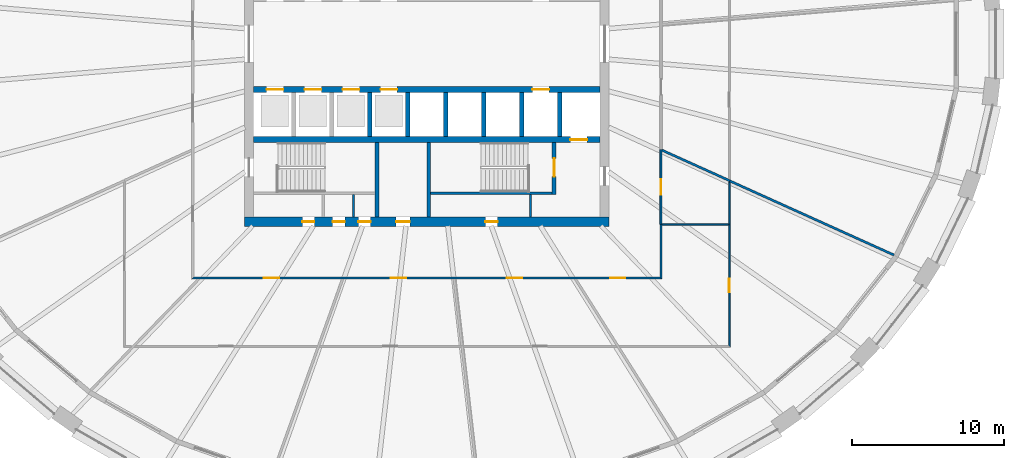
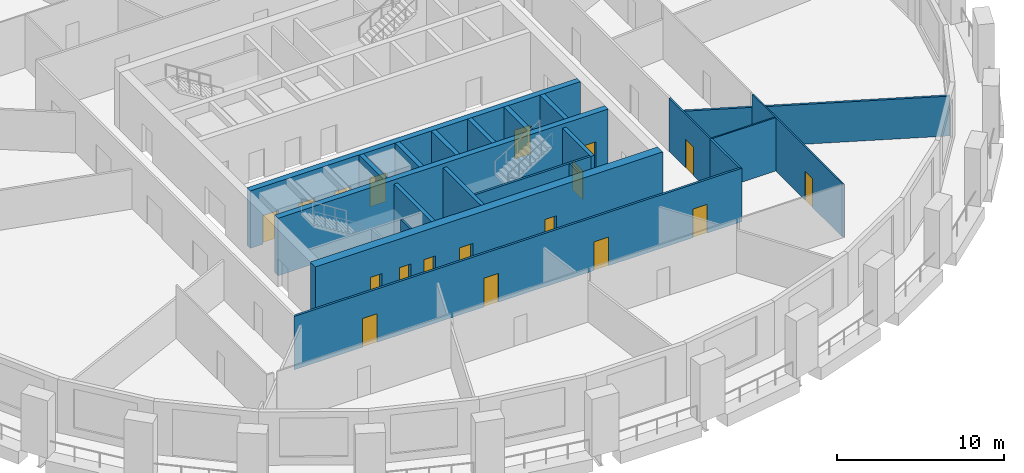
# One storey, part 4 of 11: 22 walls, 18 doors, 18 openings.
"""IFC4 building model written with IfcOpenShell, lengths in metres."""

from ifc_helpers import new_model, si_unit, direction, frame, frame_2d, origin, place, context, subcontext, project, spatial, polyline, rectangle, outline, extrude, material, layer, layer_set, type_object, element, fill, save


model = new_model("IFC4")

# Units and contexts
model_context = context("Model", 3, precision=1e-05, world=origin(), true_north=direction((0.0, 1.0)))
body_context = subcontext(model_context, "Body", "Model", "MODEL_VIEW")
ifc_project = project(units=[si_unit("LENGTHUNIT", "METRE"), si_unit("AREAUNIT", "SQUARE_METRE"), si_unit("VOLUMEUNIT", "CUBIC_METRE"), si_unit("PLANEANGLEUNIT", "RADIAN"), si_unit("MASSUNIT", "GRAM", prefix="KILO")], contexts=[model_context])

# Site, building, storey
site_placement = place(None, origin())
site = spatial("IfcSite", under=ifc_project, at=site_placement, CompositionType="ELEMENT")
building_placement = place(site_placement, origin())
building = spatial("IfcBuilding", under=site, at=building_placement, Name="Halqa Exchange Tower", CompositionType="ELEMENT")
storey_placement = place(building_placement, frame((0.0, 0.0, 44.5)))
storey = spatial("IfcBuildingStorey", under=building, at=storey_placement, Name="L09", CompositionType="ELEMENT", Elevation=44.5)

# Wall, openings, doors
ifc_material_1 = material(Name="Fire-rated gypsum board")
ifc_layer_1 = layer(ifc_material_1, 0.14990234375)
ifc_layer_set_1 = layer_set([ifc_layer_1], Name="Fire-rated gypsum board")
wall_type_1 = type_object("IfcWallType", Name="Fire partition EI 60 150", PredefinedType="PARTITIONING", material=ifc_layer_set_1)
wall_1_placement = place(storey_placement, frame((-15.47509765625, -15.39990234375, 0.0), z_axis=(0.0, 0.0, 1.0), x_axis=(1.0, 0.0, 0.0)))
wall_1 = element("IfcWall", 1, at=wall_1_placement, inside=storey, type_object=wall_type_1, Name="L09-PWL-010", PredefinedType="PARTITIONING", context=body_context, shape_type="SweptSolid", body=[
    extrude(outline(polyline([(0.000244140625, -0.074951171875), (1.9345703125, -0.074951171875), (3.868896484375, -0.074951171875), (5.80322265625, -0.074951171875), (7.73779296875, -0.074951171875), (9.672119140625, -0.074951171875), (11.6064453125, -0.074951171875), (13.540771484375, -0.074951171875), (15.47509765625, -0.074951171875), (17.409423828125, -0.074951171875), (19.34375, -0.074951171875), (21.278076171875, -0.074951171875), (23.21240234375, -0.074951171875), (25.14697265625, -0.074951171875), (27.081298828125, -0.074951171875), (29.015625, -0.074951171875), (30.949951171875, -0.074951171875), (30.800048828125, 0.074951171875), (28.884521484375, 0.074951171875), (26.96875, 0.074951171875), (25.05322265625, 0.074951171875), (23.1376953125, 0.074951171875), (21.221923828125, 0.074951171875), (19.306396484375, 0.074951171875), (17.390625, 0.074951171875), (15.47509765625, 0.074951171875), (13.5595703125, 0.074951171875), (11.643798828125, 0.074951171875), (9.728271484375, 0.074951171875), (7.8125, 0.074951171875), (5.89697265625, 0.074951171875), (3.9814453125, 0.074951171875), (2.065673828125, 0.074951171875), (0.150146484375, 0.074951171875), (0.000244140625, -0.074951171875)])), origin(), (0.0, 0.0, 1.0), 3.89990234375),
])
opening_1_placement = place(wall_1_placement, frame((4.7451171875, 0.0, 0.0)))
opening_1 = element("IfcOpeningElement", 2, at=opening_1_placement, cuts=wall_1, Name="Opening 02-07", PredefinedType="OPENING", context=body_context, shape_type="SweptSolid", body=[
    extrude(rectangle(XDim=1.0, YDim=2.10009765625, at=frame_2d((0.5, 1.050048828125))), frame((0.0, 0.0869140625, 0.0), z_axis=(0.0, -1.0, 0.0), x_axis=(1.0, 0.0, 0.0)), (0.0, 0.0, 1.0), 0.173828125),
])
opening_2_placement = place(wall_1_placement, frame((13.110107421875, 0.0, 0.0)))
opening_2 = element("IfcOpeningElement", 3, at=opening_2_placement, cuts=wall_1, Name="Opening 02-08", PredefinedType="OPENING", context=body_context, shape_type="SweptSolid", body=[
    extrude(rectangle(XDim=1.0, YDim=2.10009765625, at=frame_2d((0.5, 1.050048828125))), frame((0.0, 0.0869140625, 0.0), z_axis=(0.0, -1.0, 0.0), x_axis=(1.0, 0.0, 0.0)), (0.0, 0.0, 1.0), 0.173828125),
])
opening_3_placement = place(wall_1_placement, frame((20.735107421875, 0.0, 0.0)))
opening_3 = element("IfcOpeningElement", 4, at=opening_3_placement, cuts=wall_1, Name="Opening 02-09", PredefinedType="OPENING", context=body_context, shape_type="SweptSolid", body=[
    extrude(rectangle(XDim=1.0, YDim=2.10009765625, at=frame_2d((0.5, 1.050048828125))), frame((0.0, 0.0869140625, 0.0), z_axis=(0.0, -1.0, 0.0), x_axis=(1.0, 0.0, 0.0)), (0.0, 0.0, 1.0), 0.173828125),
])
opening_4_placement = place(wall_1_placement, frame((27.5400390625, 0.0, 0.0)))
opening_4 = element("IfcOpeningElement", 5, at=opening_4_placement, cuts=wall_1, Name="Opening 02-11", PredefinedType="OPENING", context=body_context, shape_type="SweptSolid", body=[
    extrude(rectangle(XDim=1.0, YDim=2.10009765625, at=frame_2d((0.5, 1.050048828125))), frame((0.0, 0.0869140625, 0.0), z_axis=(0.0, -1.0, 0.0), x_axis=(1.0, 0.0, 0.0)), (0.0, 0.0, 1.0), 0.173828125),
])
ifc_material_2 = material(Name="Steel fire door leaf", Category="steel")
door_type_1 = type_object("IfcDoorType", Name="Fire door FD30S 1000 x 2100", OperationType="SINGLE_SWING_LEFT", PredefinedType="DOOR", material=ifc_material_2)
door_1_placement = place(opening_1_placement, frame((1.0, 0.0, 0.0), z_axis=(0.0, 0.0, 1.0), x_axis=(-1.0, 0.0, 0.0)))
door_1 = element("IfcDoor", 6, at=door_1_placement, inside=storey, type_object=door_type_1, Name="L09-IDR-007", OperationType="SINGLE_SWING_LEFT", OverallHeight=2.10009765625, OverallWidth=1.0, PredefinedType="DOOR", context=body_context, shape_type="SweptSolid", body=[
    extrude(rectangle(XDim=1.0, YDim=2.10009765625, at=frame_2d((0.5, 1.050048828125))), frame((0.0, 0.02490234375, 0.0), z_axis=(0.0, -1.0, 0.0), x_axis=(1.0, 0.0, 0.0)), (0.0, 0.0, 1.0), 0.050048828125),
])
fill(opening_1, door_1)
door_2_placement = place(opening_2_placement, frame((1.0, 0.0, 0.0), z_axis=(0.0, 0.0, 1.0), x_axis=(-1.0, 0.0, 0.0)))
door_2 = element("IfcDoor", 7, at=door_2_placement, inside=storey, type_object=door_type_1, Name="L09-IDR-008", OperationType="SINGLE_SWING_RIGHT", OverallHeight=2.10009765625, OverallWidth=1.0, PredefinedType="DOOR", context=body_context, shape_type="SweptSolid", body=[
    extrude(rectangle(XDim=1.0, YDim=2.10009765625, at=frame_2d((0.5, 1.050048828125))), frame((0.0, 0.02490234375, 0.0), z_axis=(0.0, -1.0, 0.0), x_axis=(1.0, 0.0, 0.0)), (0.0, 0.0, 1.0), 0.050048828125),
])
fill(opening_2, door_2)
door_3_placement = place(opening_3_placement, frame((1.0, 0.0, 0.0), z_axis=(0.0, 0.0, 1.0), x_axis=(-1.0, 0.0, 0.0)))
door_3 = element("IfcDoor", 8, at=door_3_placement, inside=storey, type_object=door_type_1, Name="L09-IDR-009", OperationType="SINGLE_SWING_RIGHT", OverallHeight=2.10009765625, OverallWidth=1.0, PredefinedType="DOOR", context=body_context, shape_type="SweptSolid", body=[
    extrude(rectangle(XDim=1.0, YDim=2.10009765625, at=frame_2d((0.5, 1.050048828125))), frame((0.0, 0.02490234375, 0.0), z_axis=(0.0, -1.0, 0.0), x_axis=(1.0, 0.0, 0.0)), (0.0, 0.0, 1.0), 0.050048828125),
])
fill(opening_3, door_3)
door_4_placement = place(opening_4_placement, frame((1.0, 0.0, 0.0), z_axis=(0.0, 0.0, 1.0), x_axis=(-1.0, 0.0, 0.0)))
door_4 = element("IfcDoor", 9, at=door_4_placement, inside=storey, type_object=door_type_1, Name="L09-IDR-011", OperationType="SINGLE_SWING_LEFT", OverallHeight=2.10009765625, OverallWidth=1.0, PredefinedType="DOOR", context=body_context, shape_type="SweptSolid", body=[
    extrude(rectangle(XDim=1.0, YDim=2.10009765625, at=frame_2d((0.5, 1.050048828125))), frame((0.0, 0.02490234375, 0.0), z_axis=(0.0, -1.0, 0.0), x_axis=(1.0, 0.0, 0.0)), (0.0, 0.0, 1.0), 0.050048828125),
])
fill(opening_4, door_4)

# Walls
wall_2_placement = place(storey_placement, frame((15.39990234375, -11.8701171875, 0.0), z_axis=(0.0, 0.0, 1.0), x_axis=(0.0, -1.0, 0.0)))
element("IfcWall", 10, at=wall_2_placement, inside=storey, type_object=wall_type_1, Name="L09-PWL-025", PredefinedType="PARTITIONING", context=body_context, shape_type="SweptSolid", body=[
    extrude(outline(polyline([(0.0, -0.074951171875), (1.7275390625, -0.074951171875), (3.454833984375, -0.074951171875), (3.604736328125, 0.074951171875), (1.80224609375, 0.074951171875), (0.0, 0.074951171875), (0.0, -0.074951171875)])), origin(), (0.0, 0.0, 1.0), 3.89990234375),
])
wall_3_placement = place(storey_placement, frame((15.444091796875, -6.97998046875, 0.0), z_axis=(0.0, 0.0, 1.0), x_axis=(0.911554382715, -0.411179531778, 0.0)))
element("IfcWall", 11, at=wall_3_placement, inside=storey, type_object=wall_type_1, Name="L09-PWL-028", PredefinedType="PARTITIONING", context=body_context, shape_type="SweptSolid", body=[
    extrude(outline(polyline([(0.05126953125, -0.074951171875), (1.67822265625, -0.074951171875), (3.305419921875, -0.074951171875), (4.932373046875, -0.074951171875), (4.932373046875, -0.053955078125), (4.932373046875, 0.074951171875), (4.805419921875, 0.074951171875), (4.800537109375, 0.07275390625), (4.799560546875, 0.074951171875), (3.19970703125, 0.074951171875), (1.599853515625, 0.074951171875), (0.0, 0.074951171875), (0.02001953125, 0.031005859375), (0.00634765625, 0.024658203125), (0.05126953125, -0.074951171875)])), origin(), (0.0, 0.0, 1.0), 2.909912109375),
])
wall_4_placement = place(storey_placement, frame((19.9365234375, -9.0166015625, 0.0), z_axis=(0.0, 0.0, 1.0), x_axis=(0.911435859514, -0.411442187909, 0.0)))
element("IfcWall", 12, at=wall_4_placement, inside=storey, type_object=wall_type_1, Name="L09-PWL-034", PredefinedType="PARTITIONING", context=body_context, shape_type="SweptSolid", body=[
    extrude(outline(polyline([(0.0, -0.074951171875), (0.045166015625, -0.074951171875), (0.048095703125, -0.07373046875), (0.048583984375, -0.074951171875), (2.013427734375, -0.074951171875), (3.978271484375, -0.074951171875), (5.943115234375, -0.074951171875), (7.907958984375, -0.074951171875), (9.872802734375, -0.074951171875), (11.837646484375, -0.074951171875), (11.85595703125, -0.00146484375), (11.858154296875, 0.0693359375), (11.858154296875, 0.074951171875), (9.8818359375, 0.074951171875), (7.905517578125, 0.074951171875), (5.92919921875, 0.074951171875), (3.95263671875, 0.074951171875), (1.976318359375, 0.074951171875), (0.0, 0.074951171875), (0.0, -0.074951171875)])), origin(), (0.0, 0.0, 1.0), 2.909912109375),
])

# Wall, opening, door
ifc_material_3 = material(Name="Fire-rated glazing", Category="glass")
ifc_layer_2 = layer(ifc_material_3, 0.1201171875)
ifc_layer_set_2 = layer_set([ifc_layer_2], Name="Fire-rated glazing")
wall_type_2 = type_object("IfcWallType", Name="Glazed fire partition EI 60 120", PredefinedType="PARTITIONING", material=ifc_layer_set_2)
wall_5_placement = place(storey_placement, frame((15.39990234375, -6.9599609375, 0.0), z_axis=(0.0, 0.0, 1.0), x_axis=(0.0, -1.0, 0.0)))
wall_5 = element("IfcWall", 13, at=wall_5_placement, inside=storey, type_object=wall_type_2, Name="L09-PWL-026", PredefinedType="PARTITIONING", context=body_context, shape_type="SweptSolid", body=[
    extrude(rectangle(XDim=4.91015625, YDim=0.1201171875, at=frame_2d((2.455078125, 0.0))), origin(), (0.0, 0.0, 1.0), 3.89990234375),
])
opening_5_placement = place(wall_5_placement, frame((1.955078125, 0.0, 0.0)))
opening_5 = element("IfcOpeningElement", 14, at=opening_5_placement, cuts=wall_5, Name="Opening 02-10", PredefinedType="OPENING", context=body_context, shape_type="SweptSolid", body=[
    extrude(rectangle(XDim=1.0, YDim=2.10009765625, at=frame_2d((0.5, 1.050048828125))), frame((0.0, 0.072021484375, 0.0), z_axis=(0.0, -1.0, 0.0), x_axis=(1.0, 0.0, 0.0)), (0.0, 0.0, 1.0), 0.14404296875),
])
door_5_placement = place(opening_5_placement, origin())
door_5 = element("IfcDoor", 15, at=door_5_placement, inside=storey, type_object=door_type_1, Name="L09-IDR-010", OperationType="SINGLE_SWING_RIGHT", OverallHeight=2.10009765625, OverallWidth=1.0, PredefinedType="DOOR", context=body_context, shape_type="SweptSolid", body=[
    extrude(rectangle(XDim=1.0, YDim=2.10009765625, at=frame_2d((0.5, 1.050048828125))), frame((0.0, 0.02490234375, 0.0), z_axis=(0.0, -1.0, 0.0), x_axis=(1.0, 0.0, 0.0)), (0.0, 0.0, 1.0), 0.050048828125),
])
fill(opening_5, door_5)

ifc_material_4 = material(Name="Gypsum board")
ifc_layer_3 = layer(ifc_material_4, 0.10009765625)
ifc_layer_set_3 = layer_set([ifc_layer_3], Name="Gypsum board")
wall_type_3 = type_object("IfcWallType", Name="Partition 100 gypsum", PredefinedType="PARTITIONING", material=ifc_layer_set_3)
wall_6_placement = place(storey_placement, frame((19.89990234375, -19.949951171875, 0.0), z_axis=(0.0, 0.0, 1.0), x_axis=(0.0, 1.0, 0.0)))
wall_6 = element("IfcWall", 16, at=wall_6_placement, inside=storey, type_object=wall_type_3, Name="L09-PWL-032", PredefinedType="PARTITIONING", context=body_context, shape_type="SweptSolid", body=[
    extrude(outline(polyline([(10.846435546875, 0.050048828125), (9.055419921875, 0.050048828125), (7.264404296875, 0.050048828125), (5.47314453125, 0.050048828125), (3.68212890625, 0.050048828125), (1.89111328125, 0.050048828125), (0.10009765625, 0.050048828125), (0.0, -0.050048828125), (1.8076171875, -0.050048828125), (3.615478515625, -0.050048828125), (5.42333984375, -0.050048828125), (7.23095703125, -0.050048828125), (9.03857421875, -0.050048828125), (10.846435546875, -0.050048828125), (10.846435546875, 0.050048828125)])), origin(), (0.0, 0.0, 1.0), 3.89990234375),
])
opening_6_placement = place(wall_6_placement, frame((3.614990234375, 0.0, 0.0)))
opening_6 = element("IfcOpeningElement", 17, at=opening_6_placement, cuts=wall_6, Name="Opening 02-22", PredefinedType="OPENING", context=body_context, shape_type="SweptSolid", body=[
    extrude(rectangle(XDim=0.89990234375, YDim=2.10009765625, at=frame_2d((0.449951171875, 1.050048828125))), frame((0.0, 0.06201171875, 0.0), z_axis=(0.0, -1.0, 0.0), x_axis=(1.0, 0.0, 0.0)), (0.0, 0.0, 1.0), 0.1240234375),
])
ifc_material_5 = material(Name="Timber door leaf", Category="wood")
door_type_2 = type_object("IfcDoorType", Name="Door 900 x 2100", OperationType="SINGLE_SWING_LEFT", PredefinedType="DOOR", material=ifc_material_5)
door_6_placement = place(opening_6_placement, origin())
door_6 = element("IfcDoor", 18, at=door_6_placement, inside=storey, type_object=door_type_2, Name="L09-IDR-022", OperationType="SINGLE_SWING_LEFT", OverallHeight=2.10009765625, OverallWidth=0.89990234375, PredefinedType="DOOR", context=body_context, shape_type="SweptSolid", body=[
    extrude(rectangle(XDim=0.89990234375, YDim=2.10009765625, at=frame_2d((0.449951171875, 1.050048828125))), frame((0.0, 0.02490234375, 0.0), z_axis=(0.0, -1.0, 0.0), x_axis=(1.0, 0.0, 0.0)), (0.0, 0.0, 1.0), 0.050048828125),
])
fill(opening_6, door_6)

# Walls
wall_7_placement = place(storey_placement, frame((19.85009765625, -11.8701171875, 0.0), z_axis=(0.0, 0.0, 1.0), x_axis=(-1.0, 0.0, 0.0)))
element("IfcWall", 19, at=wall_7_placement, inside=storey, type_object=wall_type_3, Name="L09-PWL-033", PredefinedType="PARTITIONING", context=body_context, shape_type="SweptSolid", body=[
    extrude(outline(polyline([(4.3896484375, -0.050048828125), (4.3896484375, 0.0), (4.375, 0.0), (4.375, 0.050048828125), (2.916748046875, 0.050048828125), (1.45849609375, 0.050048828125), (0.0, 0.050048828125), (0.0, -0.050048828125), (1.46337890625, -0.050048828125), (2.926513671875, -0.050048828125), (4.3896484375, -0.050048828125)])), origin(), (0.0, 0.0, 1.0), 3.89990234375),
])
ifc_layer_4 = layer(ifc_material_4, 0.14990234375)
ifc_layer_set_4 = layer_set([ifc_layer_4], Name="Gypsum board")
wall_type_4 = type_object("IfcWallType", Name="Penthouse riser wall 150 gypsum", PredefinedType="PARTITIONING", material=ifc_layer_set_4)
for number, where, z_axis, x_axis, name in (
    (20, (-4.824951171875, -11.39990234375, 0.0), (0.0, 0.0, 1.0), (0.0, 1.0, 0.0), "Partition W4.825 S"),
    (21, (6.824951171875, -11.39990234375, 0.0), (0.0, 0.0, 1.0), (0.0, 1.0, 0.0), "Firefighting lobby west wall S"),
):
    element("IfcWall", number, at=place(storey_placement, frame(where, z_axis=z_axis, x_axis=x_axis)), inside=storey, type_object=wall_type_4, Name=name, PredefinedType="PARTITIONING", context=body_context, shape_type="SweptSolid", body=[
        extrude(rectangle(XDim=1.5, YDim=0.14990234375, at=frame_2d((0.75, 0.0))), origin(), (0.0, 0.0, 1.0), 3.89990234375),
    ])
ifc_material_6 = material(Name="Concrete C60/75", Category="concrete")
ifc_layer_5 = layer(ifc_material_6, 0.300048828125)
ifc_layer_set_5 = layer_set([ifc_layer_5], Name="Concrete C60/75")
wall_type_5 = type_object("IfcWallType", Name="RC core wall 300", PredefinedType="SHEAR", material=ifc_layer_set_5)
for number, where, z_axis, x_axis, name in (
    (22, (-3.75, -6.10009765625, 0.0), (0.0, 0.0, 1.0), (0.0, 1.0, 0.0), "Shaft divider S3"),
    (23, (-1.25, -6.10009765625, 0.0), (0.0, 0.0, 1.0), (0.0, 1.0, 0.0), "Shaft divider S4"),
    (24, (1.25, -6.10009765625, 0.0), (0.0, 0.0, 1.0), (0.0, 1.0, 0.0), "Shaft divider S5"),
    (25, (3.75, -6.10009765625, 0.0), (0.0, 0.0, 1.0), (0.0, 1.0, 0.0), "Shaft divider S6"),
    (26, (6.25, -6.10009765625, 0.0), (0.0, 0.0, 1.0), (0.0, 1.0, 0.0), "Shaft divider S7"),
    (27, (8.75, -6.10009765625, 0.0), (0.0, 0.0, 1.0), (0.0, 1.0, 0.0), "Shaft divider S8"),
):
    element("IfcWall", number, at=place(storey_placement, frame(where, z_axis=z_axis, x_axis=x_axis)), inside=storey, type_object=wall_type_5, Name=name, PredefinedType="SHEAR", context=body_context, shape_type="SweptSolid", body=[
        extrude(rectangle(XDim=2.900146484375, YDim=0.300048828125, at=frame_2d((1.4501953125, 0.0))), origin(), (0.0, 0.0, 1.0), 4.199951171875),
    ])

# Wall, openings, doors
ifc_material_7 = material(Name="Concrete C80/95", Category="concrete")
ifc_layer_6 = layer(ifc_material_7, 0.39990234375)
ifc_layer_set_6 = layer_set([ifc_layer_6], Name="Concrete C80/95")
wall_type_6 = type_object("IfcWallType", Name="RC core wall 400 C80/95", PredefinedType="SHEAR", material=ifc_layer_set_6)
wall_8_placement = place(storey_placement, frame((-11.39990234375, -3.0, 0.0), z_axis=(0.0, 0.0, 1.0), x_axis=(1.0, 0.0, 0.0)))
wall_8 = element("IfcWall", 28, at=wall_8_placement, inside=storey, type_object=wall_type_6, Name="Lift row front wall S", PredefinedType="SHEAR", context=body_context, shape_type="SweptSolid", body=[
    extrude(rectangle(XDim=22.7998046875, YDim=0.39990234375, at=frame_2d((11.39990234375, 0.0))), origin(), (0.0, 0.0, 1.0), 4.199951171875),
])
opening_7_placement = place(wall_8_placement, frame((0.85009765625, 0.0, 0.0)))
opening_7 = element("IfcOpeningElement", 29, at=opening_7_placement, cuts=wall_8, Name="Opening LD-LR5-T02", PredefinedType="OPENING", context=body_context, shape_type="SweptSolid", body=[
    extrude(rectangle(XDim=1.10009765625, YDim=2.10009765625, at=frame_2d((0.550048828125, 1.050048828125))), frame((0.0, 0.2119140625, 0.0), z_axis=(0.0, -1.0, 0.0), x_axis=(1.0, 0.0, 0.0)), (0.0, 0.0, 1.0), 0.423828125),
])
opening_8_placement = place(wall_8_placement, frame((3.35009765625, 0.0, 0.0)))
opening_8 = element("IfcOpeningElement", 30, at=opening_8_placement, cuts=wall_8, Name="Opening LD-LR6-T02", PredefinedType="OPENING", context=body_context, shape_type="SweptSolid", body=[
    extrude(rectangle(XDim=1.10009765625, YDim=2.10009765625, at=frame_2d((0.550048828125, 1.050048828125))), frame((0.0, 0.2119140625, 0.0), z_axis=(0.0, -1.0, 0.0), x_axis=(1.0, 0.0, 0.0)), (0.0, 0.0, 1.0), 0.423828125),
])
opening_9_placement = place(wall_8_placement, frame((5.85009765625, 0.0, 0.0)))
opening_9 = element("IfcOpeningElement", 31, at=opening_9_placement, cuts=wall_8, Name="Opening LD-LR7-T02", PredefinedType="OPENING", context=body_context, shape_type="SweptSolid", body=[
    extrude(rectangle(XDim=1.10009765625, YDim=2.10009765625, at=frame_2d((0.550048828125, 1.050048828125))), frame((0.0, 0.2119140625, 0.0), z_axis=(0.0, -1.0, 0.0), x_axis=(1.0, 0.0, 0.0)), (0.0, 0.0, 1.0), 0.423828125),
])
opening_10_placement = place(wall_8_placement, frame((8.35009765625, 0.0, 0.0)))
opening_10 = element("IfcOpeningElement", 32, at=opening_10_placement, cuts=wall_8, Name="Opening LD-LR8-T02", PredefinedType="OPENING", context=body_context, shape_type="SweptSolid", body=[
    extrude(rectangle(XDim=1.10009765625, YDim=2.10009765625, at=frame_2d((0.550048828125, 1.050048828125))), frame((0.0, 0.2119140625, 0.0), z_axis=(0.0, -1.0, 0.0), x_axis=(1.0, 0.0, 0.0)), (0.0, 0.0, 1.0), 0.423828125),
])
opening_11_placement = place(wall_8_placement, frame((18.35009765625, 0.0, 0.0)))
opening_11 = element("IfcOpeningElement", 33, at=opening_11_placement, cuts=wall_8, Name="Opening LD-SV2-T02", PredefinedType="OPENING", context=body_context, shape_type="SweptSolid", body=[
    extrude(rectangle(XDim=1.10009765625, YDim=2.10009765625, at=frame_2d((0.550048828125, 1.050048828125))), frame((0.0, 0.2119140625, 0.0), z_axis=(0.0, -1.0, 0.0), x_axis=(1.0, 0.0, 0.0)), (0.0, 0.0, 1.0), 0.423828125),
])
ifc_material_8 = material(Name="Stainless steel", Category="steel")
door_type_3 = type_object("IfcDoorType", Name="Lift landing door 1100 x 2100", OperationType="SLIDING_TO_LEFT", PredefinedType="DOOR", material=ifc_material_8)
door_7_placement = place(opening_7_placement, origin())
door_7 = element("IfcDoor", 34, at=door_7_placement, inside=storey, type_object=door_type_3, Name="Lift landing door LR5", OperationType="SLIDING_TO_LEFT", OverallHeight=2.10009765625, OverallWidth=1.10009765625, PredefinedType="DOOR", context=body_context, shape_type="SweptSolid", body=[
    extrude(rectangle(XDim=1.10009765625, YDim=2.10009765625, at=frame_2d((0.550048828125, 1.050048828125))), frame((0.0, 0.02490234375, 0.0), z_axis=(0.0, -1.0, 0.0), x_axis=(1.0, 0.0, 0.0)), (0.0, 0.0, 1.0), 0.050048828125),
])
fill(opening_7, door_7)
door_8_placement = place(opening_8_placement, origin())
door_8 = element("IfcDoor", 35, at=door_8_placement, inside=storey, type_object=door_type_3, Name="Lift landing door LR6", OperationType="SLIDING_TO_LEFT", OverallHeight=2.10009765625, OverallWidth=1.10009765625, PredefinedType="DOOR", context=body_context, shape_type="SweptSolid", body=[
    extrude(rectangle(XDim=1.10009765625, YDim=2.10009765625, at=frame_2d((0.550048828125, 1.050048828125))), frame((0.0, 0.02490234375, 0.0), z_axis=(0.0, -1.0, 0.0), x_axis=(1.0, 0.0, 0.0)), (0.0, 0.0, 1.0), 0.050048828125),
])
fill(opening_8, door_8)
door_9_placement = place(opening_9_placement, origin())
door_9 = element("IfcDoor", 36, at=door_9_placement, inside=storey, type_object=door_type_3, Name="Lift landing door LR7", OperationType="SLIDING_TO_LEFT", OverallHeight=2.10009765625, OverallWidth=1.10009765625, PredefinedType="DOOR", context=body_context, shape_type="SweptSolid", body=[
    extrude(rectangle(XDim=1.10009765625, YDim=2.10009765625, at=frame_2d((0.550048828125, 1.050048828125))), frame((0.0, 0.02490234375, 0.0), z_axis=(0.0, -1.0, 0.0), x_axis=(1.0, 0.0, 0.0)), (0.0, 0.0, 1.0), 0.050048828125),
])
fill(opening_9, door_9)
door_10_placement = place(opening_10_placement, origin())
door_10 = element("IfcDoor", 37, at=door_10_placement, inside=storey, type_object=door_type_3, Name="Lift landing door LR8", OperationType="SLIDING_TO_LEFT", OverallHeight=2.10009765625, OverallWidth=1.10009765625, PredefinedType="DOOR", context=body_context, shape_type="SweptSolid", body=[
    extrude(rectangle(XDim=1.10009765625, YDim=2.10009765625, at=frame_2d((0.550048828125, 1.050048828125))), frame((0.0, 0.02490234375, 0.0), z_axis=(0.0, -1.0, 0.0), x_axis=(1.0, 0.0, 0.0)), (0.0, 0.0, 1.0), 0.050048828125),
])
fill(opening_10, door_10)
door_11_placement = place(opening_11_placement, origin())
door_11 = element("IfcDoor", 38, at=door_11_placement, inside=storey, type_object=door_type_3, Name="Lift landing door SV2", OperationType="SLIDING_TO_LEFT", OverallHeight=2.10009765625, OverallWidth=1.10009765625, PredefinedType="DOOR", context=body_context, shape_type="SweptSolid", body=[
    extrude(rectangle(XDim=1.10009765625, YDim=2.10009765625, at=frame_2d((0.550048828125, 1.050048828125))), frame((0.0, 0.02490234375, 0.0), z_axis=(0.0, -1.0, 0.0), x_axis=(1.0, 0.0, 0.0)), (0.0, 0.0, 1.0), 0.050048828125),
])
fill(opening_11, door_11)

# Wall, opening, door
wall_9_placement = place(storey_placement, frame((-11.39990234375, -6.300048828125, 0.0), z_axis=(0.0, 0.0, 1.0), x_axis=(1.0, 0.0, 0.0)))
wall_9 = element("IfcWall", 39, at=wall_9_placement, inside=storey, type_object=wall_type_6, Name="Lift row back wall S", PredefinedType="SHEAR", context=body_context, shape_type="SweptSolid", body=[
    extrude(rectangle(XDim=22.7998046875, YDim=0.39990234375, at=frame_2d((11.39990234375, 0.0))), origin(), (0.0, 0.0, 1.0), 4.199951171875),
])
opening_12_placement = place(wall_9_placement, frame((20.85009765625, 0.0, 0.0)))
opening_12 = element("IfcOpeningElement", 40, at=opening_12_placement, cuts=wall_9, Name="Opening LD-FF2-T02", PredefinedType="OPENING", context=body_context, shape_type="SweptSolid", body=[
    extrude(rectangle(XDim=1.10009765625, YDim=2.10009765625, at=frame_2d((0.550048828125, 1.050048828125))), frame((0.0, 0.2119140625, 0.0), z_axis=(0.0, -1.0, 0.0), x_axis=(1.0, 0.0, 0.0)), (0.0, 0.0, 1.0), 0.423828125),
])
door_12_placement = place(opening_12_placement, origin())
door_12 = element("IfcDoor", 41, at=door_12_placement, inside=storey, type_object=door_type_3, Name="Lift landing door FF2", OperationType="SLIDING_TO_LEFT", OverallHeight=2.10009765625, OverallWidth=1.10009765625, PredefinedType="DOOR", context=body_context, shape_type="SweptSolid", body=[
    extrude(rectangle(XDim=1.10009765625, YDim=2.10009765625, at=frame_2d((0.550048828125, 1.050048828125))), frame((0.0, 0.02490234375, 0.0), z_axis=(0.0, -1.0, 0.0), x_axis=(1.0, 0.0, 0.0)), (0.0, 0.0, 1.0), 0.050048828125),
])
fill(opening_12, door_12)

# Wall, openings, doors
ifc_layer_7 = layer(ifc_material_7, 0.60009765625)
ifc_layer_set_7 = layer_set([ifc_layer_7], Name="Concrete C80/95")
wall_type_7 = type_object("IfcWallType", Name="RC core wall 600 C80/95", PredefinedType="SHEAR", material=ifc_layer_set_7)
wall_10_placement = place(storey_placement, frame((-12.0, -11.699951171875, 0.0), z_axis=(0.0, 0.0, 1.0), x_axis=(1.0, 0.0, 0.0)))
wall_10 = element("IfcWall", 42, at=wall_10_placement, inside=storey, type_object=wall_type_7, Name="Core wall south", PredefinedType="SHEAR", context=body_context, shape_type="SweptSolid", body=[
    extrude(rectangle(XDim=24.0, YDim=0.60009765625, at=frame_2d((12.0, 0.0))), origin(), (0.0, 0.0, 1.0), 4.199951171875),
])
opening_13_placement = place(wall_10_placement, frame((9.97509765625, 0.0, 0.0)))
opening_13 = element("IfcOpeningElement", 43, at=opening_13_placement, cuts=wall_10, Name="Opening T02-C26", PredefinedType="OPENING", context=body_context, shape_type="SweptSolid", body=[
    extrude(rectangle(XDim=0.89990234375, YDim=2.10009765625, at=frame_2d((0.449951171875, 1.050048828125))), frame((0.0, 0.31201171875, 0.0), z_axis=(0.0, -1.0, 0.0), x_axis=(1.0, 0.0, 0.0)), (0.0, 0.0, 1.0), 0.6240234375),
])
opening_14_placement = place(wall_10_placement, frame((3.800048828125, 0.0, 0.0)))
opening_14 = element("IfcOpeningElement", 44, at=opening_14_placement, cuts=wall_10, Name="Opening T02-C27", PredefinedType="OPENING", context=body_context, shape_type="SweptSolid", body=[
    extrude(rectangle(XDim=0.800048828125, YDim=2.10009765625, at=frame_2d((0.39990234375, 1.050048828125))), frame((0.0, 0.31201171875, 0.0), z_axis=(0.0, -1.0, 0.0), x_axis=(1.0, 0.0, 0.0)), (0.0, 0.0, 1.0), 0.6240234375),
])
opening_15_placement = place(wall_10_placement, frame((5.800048828125, 0.0, 0.0)))
opening_15 = element("IfcOpeningElement", 45, at=opening_15_placement, cuts=wall_10, Name="Opening T02-C28", PredefinedType="OPENING", context=body_context, shape_type="SweptSolid", body=[
    extrude(rectangle(XDim=0.800048828125, YDim=2.10009765625, at=frame_2d((0.39990234375, 1.050048828125))), frame((0.0, 0.31201171875, 0.0), z_axis=(0.0, -1.0, 0.0), x_axis=(1.0, 0.0, 0.0)), (0.0, 0.0, 1.0), 0.6240234375),
])
opening_16_placement = place(wall_10_placement, frame((7.5, 0.0, 0.0)))
opening_16 = element("IfcOpeningElement", 46, at=opening_16_placement, cuts=wall_10, Name="Opening T02-C29", PredefinedType="OPENING", context=body_context, shape_type="SweptSolid", body=[
    extrude(rectangle(XDim=0.800048828125, YDim=2.10009765625, at=frame_2d((0.39990234375, 1.050048828125))), frame((0.0, 0.31201171875, 0.0), z_axis=(0.0, -1.0, 0.0), x_axis=(1.0, 0.0, 0.0)), (0.0, 0.0, 1.0), 0.6240234375),
])
opening_17_placement = place(wall_10_placement, frame((15.85009765625, 0.0, 0.0)))
opening_17 = element("IfcOpeningElement", 47, at=opening_17_placement, cuts=wall_10, Name="Opening T02-C30", PredefinedType="OPENING", context=body_context, shape_type="SweptSolid", body=[
    extrude(rectangle(XDim=0.800048828125, YDim=2.10009765625, at=frame_2d((0.39990234375, 1.050048828125))), frame((0.0, 0.31201171875, 0.0), z_axis=(0.0, -1.0, 0.0), x_axis=(1.0, 0.0, 0.0)), (0.0, 0.0, 1.0), 0.6240234375),
])
ifc_material_9 = material(Name="Timber fire door leaf", Category="wood")
door_type_4 = type_object("IfcDoorType", Name="Core room door FD30 900 x 2100", OperationType="SINGLE_SWING_LEFT", PredefinedType="DOOR", material=ifc_material_9)
door_13_placement = place(opening_13_placement, origin())
door_13 = element("IfcDoor", 48, at=door_13_placement, inside=storey, type_object=door_type_4, Name="Core room door", OperationType="SINGLE_SWING_LEFT", OverallHeight=2.10009765625, OverallWidth=0.89990234375, PredefinedType="DOOR", context=body_context, shape_type="SweptSolid", body=[
    extrude(rectangle(XDim=0.89990234375, YDim=2.10009765625, at=frame_2d((0.449951171875, 1.050048828125))), frame((0.0, 0.02490234375, 0.0), z_axis=(0.0, -1.0, 0.0), x_axis=(1.0, 0.0, 0.0)), (0.0, 0.0, 1.0), 0.050048828125),
])
fill(opening_13, door_13)
door_type_5 = type_object("IfcDoorType", Name="Riser door FD60 800 x 2100", OperationType="SINGLE_SWING_LEFT", PredefinedType="DOOR", material=ifc_material_2)
door_14_placement = place(opening_14_placement, origin())
door_14 = element("IfcDoor", 49, at=door_14_placement, inside=storey, type_object=door_type_5, Name="Core room door", OperationType="SINGLE_SWING_LEFT", OverallHeight=2.10009765625, OverallWidth=0.800048828125, PredefinedType="DOOR", context=body_context, shape_type="SweptSolid", body=[
    extrude(rectangle(XDim=0.800048828125, YDim=2.10009765625, at=frame_2d((0.39990234375, 1.050048828125))), frame((0.0, 0.02490234375, 0.0), z_axis=(0.0, -1.0, 0.0), x_axis=(1.0, 0.0, 0.0)), (0.0, 0.0, 1.0), 0.050048828125),
])
fill(opening_14, door_14)
door_15_placement = place(opening_15_placement, origin())
door_15 = element("IfcDoor", 50, at=door_15_placement, inside=storey, type_object=door_type_5, Name="Core room door", OperationType="SINGLE_SWING_RIGHT", OverallHeight=2.10009765625, OverallWidth=0.800048828125, PredefinedType="DOOR", context=body_context, shape_type="SweptSolid", body=[
    extrude(rectangle(XDim=0.800048828125, YDim=2.10009765625, at=frame_2d((0.39990234375, 1.050048828125))), frame((0.0, 0.02490234375, 0.0), z_axis=(0.0, -1.0, 0.0), x_axis=(1.0, 0.0, 0.0)), (0.0, 0.0, 1.0), 0.050048828125),
])
fill(opening_15, door_15)
door_16_placement = place(opening_16_placement, origin())
door_16 = element("IfcDoor", 51, at=door_16_placement, inside=storey, type_object=door_type_5, Name="Core room door", OperationType="SINGLE_SWING_RIGHT", OverallHeight=2.10009765625, OverallWidth=0.800048828125, PredefinedType="DOOR", context=body_context, shape_type="SweptSolid", body=[
    extrude(rectangle(XDim=0.800048828125, YDim=2.10009765625, at=frame_2d((0.39990234375, 1.050048828125))), frame((0.0, 0.02490234375, 0.0), z_axis=(0.0, -1.0, 0.0), x_axis=(1.0, 0.0, 0.0)), (0.0, 0.0, 1.0), 0.050048828125),
])
fill(opening_16, door_16)
door_17_placement = place(opening_17_placement, origin())
door_17 = element("IfcDoor", 52, at=door_17_placement, inside=storey, type_object=door_type_5, Name="Core room door", OperationType="SINGLE_SWING_LEFT", OverallHeight=2.10009765625, OverallWidth=0.800048828125, PredefinedType="DOOR", context=body_context, shape_type="SweptSolid", body=[
    extrude(rectangle(XDim=0.800048828125, YDim=2.10009765625, at=frame_2d((0.39990234375, 1.050048828125))), frame((0.0, 0.02490234375, 0.0), z_axis=(0.0, -1.0, 0.0), x_axis=(1.0, 0.0, 0.0)), (0.0, 0.0, 1.0), 0.050048828125),
])
fill(opening_17, door_17)

# Walls
ifc_material_10 = material(Name="Concrete C30/37", Category="concrete")
ifc_layer_8 = layer(ifc_material_10, 0.14990234375)
ifc_layer_set_8 = layer_set([ifc_layer_8], Name="Concrete C30/37")
wall_type_8 = type_object("IfcWallType", Name="RC stair wall 150 C30/37", PredefinedType="SHEAR", material=ifc_layer_set_8)
wall_11_placement = place(storey_placement, frame((0.25, -9.824951171875, 0.0), z_axis=(0.0, 0.0, 1.0), x_axis=(1.0, 0.0, 0.0)))
element("IfcWall", 53, at=wall_11_placement, inside=storey, type_object=wall_type_8, Name="Stair ST2 north wall S", PredefinedType="SHEAR", context=body_context, shape_type="SweptSolid", body=[
    extrude(rectangle(XDim=8.0, YDim=0.14990234375, at=frame_2d((4.0, 0.0))), origin(), (0.0, 0.0, 1.0), 3.89990234375),
])
ifc_layer_9 = layer(ifc_material_10, 0.25)
ifc_layer_set_9 = layer_set([ifc_layer_9], Name="Concrete C30/37")
wall_type_9 = type_object("IfcWallType", Name="RC stair wall 250 C30/37", PredefinedType="SHEAR", material=ifc_layer_set_9)
for number, where, z_axis, x_axis, name in (
    (54, (-3.27490234375, -11.39990234375, 0.0), (0.0, 0.0, 1.0), (0.0, 1.0, 0.0), "Stair ST1 east wall S"),
    (55, (0.125, -11.39990234375, 0.0), (0.0, 0.0, 1.0), (0.0, 1.0, 0.0), "Stair ST2 west wall S"),
):
    element("IfcWall", number, at=place(storey_placement, frame(where, z_axis=z_axis, x_axis=x_axis)), inside=storey, type_object=wall_type_9, Name=name, PredefinedType="SHEAR", context=body_context, shape_type="SweptSolid", body=[
        extrude(rectangle(XDim=4.89990234375, YDim=0.25, at=frame_2d((2.449951171875, 0.0))), origin(), (0.0, 0.0, 1.0), 3.89990234375),
    ])

# Wall, opening, door
wall_12_placement = place(storey_placement, frame((8.375, -9.89990234375, 0.0), z_axis=(0.0, 0.0, 1.0), x_axis=(0.0, 1.0, 0.0)))
wall_12 = element("IfcWall", 56, at=wall_12_placement, inside=storey, type_object=wall_type_9, Name="Stair ST2 east wall S", PredefinedType="SHEAR", context=body_context, shape_type="SweptSolid", body=[
    extrude(rectangle(XDim=3.39990234375, YDim=0.25, at=frame_2d((1.699951171875, 0.0))), origin(), (0.0, 0.0, 1.0), 3.89990234375),
])
opening_18_placement = place(wall_12_placement, frame((1.175048828125, 0.0, 0.0)))
opening_18 = element("IfcOpeningElement", 57, at=opening_18_placement, cuts=wall_12, Name="Opening T02-C18", PredefinedType="OPENING", context=body_context, shape_type="SweptSolid", body=[
    extrude(rectangle(XDim=1.199951171875, YDim=2.10009765625, at=frame_2d((0.60009765625, 1.050048828125))), frame((0.0, 0.136962890625, 0.0), z_axis=(0.0, -1.0, 0.0), x_axis=(1.0, 0.0, 0.0)), (0.0, 0.0, 1.0), 0.27392578125),
])
door_type_6 = type_object("IfcDoorType", Name="Stair door FD90 1200 x 2100", OperationType="SINGLE_SWING_LEFT", PredefinedType="DOOR", material=ifc_material_2)
door_18_placement = place(opening_18_placement, origin())
door_18 = element("IfcDoor", 58, at=door_18_placement, inside=storey, type_object=door_type_6, Name="Stair door ST4", OperationType="SINGLE_SWING_LEFT", OverallHeight=2.10009765625, OverallWidth=1.199951171875, PredefinedType="DOOR", context=body_context, shape_type="SweptSolid", body=[
    extrude(rectangle(XDim=1.199951171875, YDim=2.10009765625, at=frame_2d((0.60009765625, 1.050048828125))), frame((0.0, 0.02490234375, 0.0), z_axis=(0.0, -1.0, 0.0), x_axis=(1.0, 0.0, 0.0)), (0.0, 0.0, 1.0), 0.050048828125),
])
fill(opening_18, door_18)

save(model, "model.ifc")
